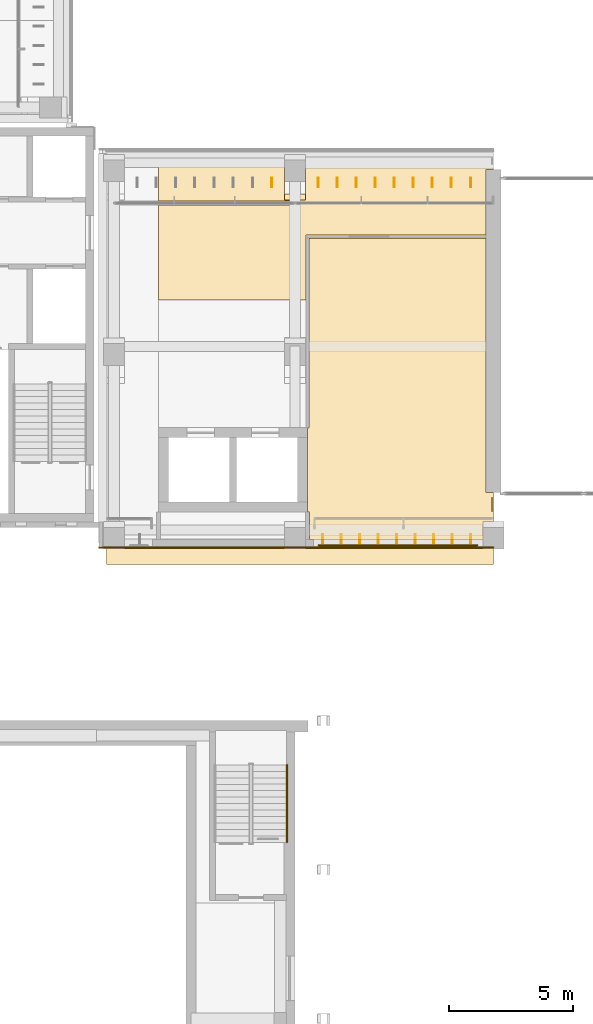
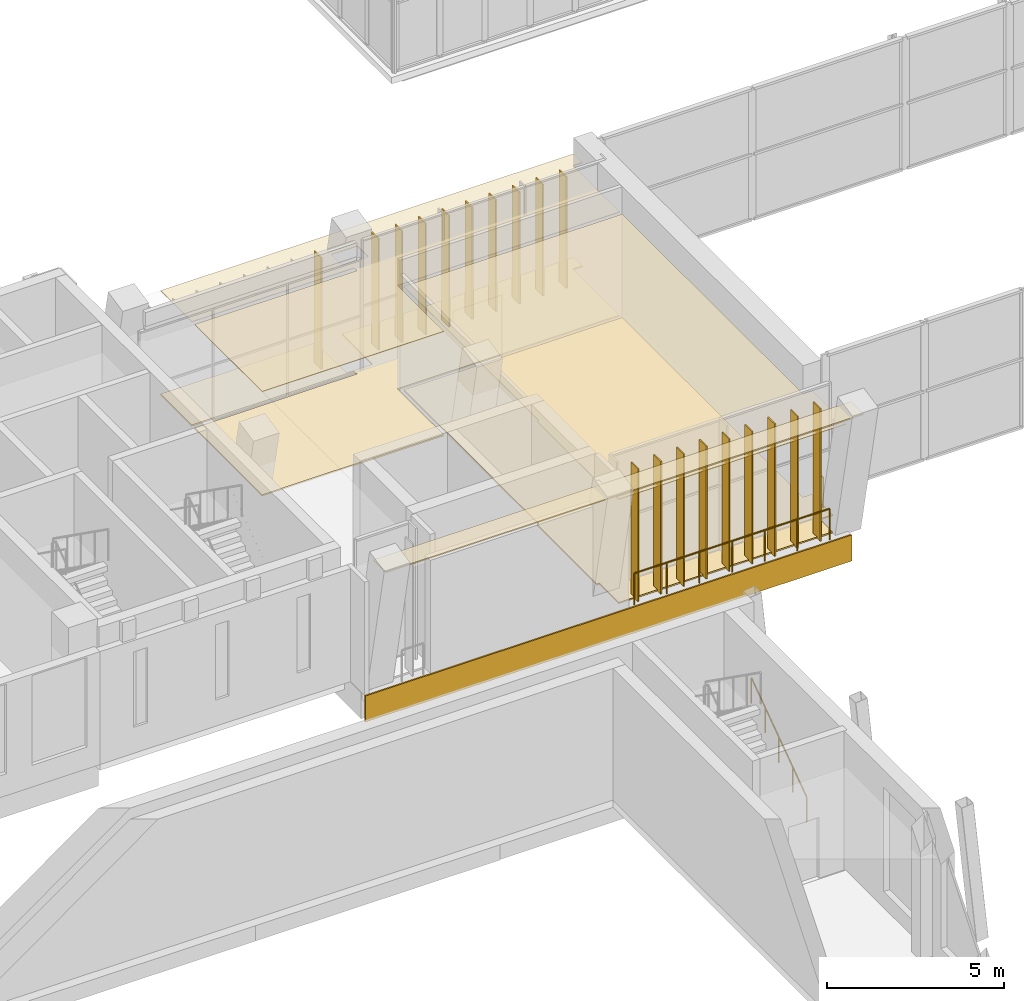
# One storey, part 75 of 92: 19 shading devices, 6 coverings, 3 railings.
"""IFC4 building model written with IfcOpenShell, lengths in metres."""

from ifc_helpers import new_model, si_unit, direction, frame, frame_2d, origin, origin_2d, place, context, subcontext, project, spatial, polyline, rectangle, circle, outline, extrude, material, layer, layer_set, type_object, element, save


model = new_model("IFC4")

# Units and contexts
model_context = context("Model", 3, precision=1e-05, world=origin(), true_north=direction((0.0, 1.0)))
body_context = subcontext(model_context, "Body", "Model", "MODEL_VIEW")
ifc_project = project(units=[si_unit("LENGTHUNIT", "METRE"), si_unit("AREAUNIT", "SQUARE_METRE"), si_unit("VOLUMEUNIT", "CUBIC_METRE"), si_unit("PLANEANGLEUNIT", "RADIAN"), si_unit("MASSUNIT", "GRAM", prefix="KILO")], contexts=[model_context])

# Site, building, storey
site_placement = place(None, origin())
site = spatial("IfcSite", under=ifc_project, at=site_placement, CompositionType="ELEMENT")
building_placement = place(site_placement, origin())
building = spatial("IfcBuilding", under=site, at=building_placement, Name="Lantern Court Media Centre", CompositionType="ELEMENT")
storey_placement = place(building_placement, frame((0.0, 0.0, 4.800048828125)))
storey = spatial("IfcBuildingStorey", under=building, at=storey_placement, Name="L01", CompositionType="ELEMENT", Elevation=4.800048828125)

# Covering
ifc_material_1 = material(Name="Carpet")
ifc_layer_1 = layer(ifc_material_1, 0.050048828125)
ifc_layer_set_1 = layer_set([ifc_layer_1], Name="Carpet")
covering_type_1 = type_object("IfcCoveringType", Name="Carpet floor finish", PredefinedType="FLOORING", material=ifc_layer_set_1)
covering_1_placement = place(storey_placement, origin())
element("IfcCovering", 1, at=covering_1_placement, inside=storey, type_object=covering_type_1, Name="Exhibition Gallery floor finish", PredefinedType="FLOORING", context=body_context, shape_type="SweptSolid", body=[
    extrude(outline(polyline([(40.0, 48.030029296875), (39.570556640625, 48.02734375), (39.570068359375, 47.300048828125), (32.5849609375, 47.304931640625), (32.5849609375, 48.400390625), (32.5048828125, 48.405029296875), (32.5048828125, 51.794921875), (32.5673828125, 51.800048828125), (32.5673828125, 59.4326171875), (39.695068359375, 59.4326171875), (39.695068359375, 49.199951171875), (40.0, 49.195068359375), (40.0, 48.030029296875)])), origin(), (0.0, 0.0, 1.0), 0.050048828125),
])

# Railings
ifc_material_2 = material(Name="Powder-coated steel", Category="steel")
railing_type_1 = type_object("IfcRailingType", Name="Floor edge guard 1100", PredefinedType="GUARDRAIL", material=ifc_material_2)
railing_1_placement = place(storey_placement, frame((39.341064453125, 47.06005859375, 0.0)))
element("IfcRailing", 2, at=railing_1_placement, inside=storey, type_object=railing_type_1, Name="L01 edge guard 15", PredefinedType="GUARDRAIL", context=body_context, shape_type="SweptSolid", body=[
    extrude(circle(Radius=0.02392578125, at=origin_2d()), frame((0.0, 0.0, 1.076171875), z_axis=(-1.0, 0.0, 0.0), x_axis=(0.0, -1.0, 0.0)), (0.0, 0.0, 1.0), 6.39208984375),
    extrude(circle(Radius=0.02099609375, at=origin_2d()), origin(), (0.0, 0.0, 1.0), 1.052001953125),
    extrude(circle(Radius=0.02099609375, at=origin_2d()), frame((-1.0654296875, 0.0, 0.0)), (0.0, 0.0, 1.0), 1.052001953125),
    extrude(circle(Radius=0.02099609375, at=origin_2d()), frame((-2.130615234375, 0.0, 0.0)), (0.0, 0.0, 1.0), 1.052001953125),
    extrude(circle(Radius=0.02099609375, at=origin_2d()), frame((-3.196044921875, 0.0, 0.0)), (0.0, 0.0, 1.0), 1.052001953125),
    extrude(circle(Radius=0.02099609375, at=origin_2d()), frame((-4.261474609375, 0.0, 0.0)), (0.0, 0.0, 1.0), 1.052001953125),
    extrude(circle(Radius=0.02099609375, at=origin_2d()), frame((-5.32666015625, 0.0, 0.0)), (0.0, 0.0, 1.0), 1.052001953125),
    extrude(circle(Radius=0.02099609375, at=origin_2d()), frame((-6.39208984375, 0.0, 0.0)), (0.0, 0.0, 1.0), 1.052001953125),
])
railing_2_placement = place(storey_placement, frame((39.93994140625, 48.9580078125, 0.0)))
element("IfcRailing", 3, at=railing_2_placement, inside=storey, type_object=railing_type_1, Name="L01 edge guard 17", PredefinedType="GUARDRAIL", context=body_context, shape_type="SweptSolid", body=[
    extrude(circle(Radius=0.02392578125, at=origin_2d()), frame((0.0, 0.0, 1.076171875), z_axis=(0.0, -1.0, 0.0), x_axis=(1.0, 0.0, 0.0)), (0.0, 0.0, 1.0), 0.5),
    extrude(circle(Radius=0.02099609375, at=origin_2d()), origin(), (0.0, 0.0, 1.0), 1.052001953125),
    extrude(circle(Radius=0.02099609375, at=origin_2d()), frame((0.0, -0.5, 0.0)), (0.0, 0.0, 1.0), 1.052001953125),
])

# Coverings
ifc_material_3 = material(Name="White glass-fibre reinforced cement cladding", Category="concrete")
ifc_layer_2 = layer(ifc_material_3, 0.050048828125)
ifc_layer_set_2 = layer_set([ifc_layer_2], Name="White glass-fibre reinforced cement cladding")
covering_type_2 = type_object("IfcCoveringType", Name="Floor-edge band 50", PredefinedType="CLADDING", material=ifc_layer_set_2)
covering_2_placement = place(storey_placement, frame((24.10009765625, 46.97509765625, -0.900146484375), z_axis=(0.0, 0.0, 1.0), x_axis=(1.0, 0.0, 0.0)))
element("IfcCovering", 4, at=covering_2_placement, inside=storey, type_object=covering_type_2, Name="Floor-edge band S outer L01", PredefinedType="CLADDING", context=body_context, shape_type="SweptSolid", body=[
    extrude(rectangle(XDim=15.89990234375, YDim=0.050048828125, at=frame_2d((7.949951171875, 0.0))), origin(), (0.0, 0.0, 1.0), 0.900146484375),
])
ifc_material_4 = material(Name="White fibre cement soffit board")
ifc_layer_3 = layer(ifc_material_4, 0.0400390625)
ifc_layer_set_3 = layer_set([ifc_layer_3], Name="White fibre cement soffit board")
covering_type_3 = type_object("IfcCoveringType", Name="Soffit lining 40", PredefinedType="CLADDING", material=ifc_layer_set_3)
covering_3_placement = place(storey_placement, frame((24.39990234375, 46.64990234375, 4.5400390625), z_axis=(0.0, 0.0, 1.0), x_axis=(1.0, 0.0, 0.0)))
element("IfcCovering", 5, at=covering_3_placement, inside=storey, type_object=covering_type_3, Name="Soffit lining S L01", PredefinedType="CLADDING", context=body_context, shape_type="SweptSolid", body=[
    extrude(rectangle(XDim=15.60009765625, YDim=0.699951171875, at=frame_2d((7.800048828125, 0.0))), origin(), (0.0, 0.0, 1.0), 0.039794921875),
])

# Railing
railing_type_2 = type_object("IfcRailingType", Name="Stair handrail 900", PredefinedType="HANDRAIL", material=ifc_material_2)
railing_3_placement = place(storey_placement, frame((31.674072265625, 35.10009765625, 0.1845703125)))
element("IfcRailing", 6, at=railing_3_placement, inside=storey, type_object=railing_type_2, Name="L01 ST-V1-ST-E stair handrail 1", PredefinedType="HANDRAIL", context=body_context, shape_type="SweptSolid", body=[
    extrude(circle(Radius=0.02392578125, at=origin_2d()), frame((0.0, 0.0, 0.8759765625), z_axis=(0.0, 0.815355575968, 0.57896052088), x_axis=(-1.0, 0.0, 0.0)), (0.0, 0.0, 1.0), 3.826416015625),
    extrude(circle(Radius=0.02099609375, at=origin_2d()), origin(), (0.0, 0.0, 1.0), 0.851806640625),
    extrude(circle(Radius=0.02099609375, at=origin_2d()), frame((0.0, 0.780029296875, 0.5537109375)), (0.0, 0.0, 1.0), 0.851806640625),
    extrude(circle(Radius=0.02099609375, at=origin_2d()), frame((0.0, 1.56005859375, 1.107666015625)), (0.0, 0.0, 1.0), 0.851806640625),
    extrude(circle(Radius=0.02099609375, at=origin_2d()), frame((0.0, 2.33984375, 1.66162109375)), (0.0, 0.0, 1.0), 0.851806640625),
    extrude(circle(Radius=0.02099609375, at=origin_2d()), frame((0.0, 3.119873046875, 2.21533203125)), (0.0, 0.0, 1.0), 0.851806640625),
])

# Coverings
ifc_material_5 = material(Name="Mineral fibre ceiling tile")
ifc_layer_4 = layer(ifc_material_5, 0.02001953125)
ifc_layer_set_4 = layer_set([ifc_layer_4], Name="Mineral fibre ceiling tile")
covering_type_4 = type_object("IfcCoveringType", Name="Suspended ceiling tile", PredefinedType="CEILING", material=ifc_layer_set_4)
covering_4_placement = place(storey_placement, frame((0.0, 0.0, 3.599853515625)))
element("IfcCovering", 7, at=covering_4_placement, inside=storey, type_object=covering_type_4, Name="Exhibition Gallery ceiling", PredefinedType="CEILING", context=body_context, shape_type="SweptSolid", body=[
    extrude(outline(polyline([(40.0, 47.300048828125), (32.58056640625, 47.300537109375), (32.58056640625, 48.400146484375), (32.50048828125, 48.400390625), (32.50048828125, 51.799560546875), (32.56298828125, 51.800048828125), (32.56298828125, 59.43701171875), (39.699462890625, 59.43701171875), (39.699462890625, 49.199951171875), (40.0, 49.199462890625), (40.0, 47.300048828125)])), origin(), (0.0, 0.0, 1.0), 0.02001953125),
])
covering_5_placement = place(storey_placement, frame((0.0, 0.0, 3.599853515625)))
element("IfcCovering", 8, at=covering_5_placement, inside=storey, type_object=covering_type_4, Name="Corridor ceiling", PredefinedType="CEILING", context=body_context, shape_type="SweptSolid", body=[
    extrude(outline(polyline([(26.5, 62.699951171875), (40.0, 62.699951171875), (40.0, 62.200439453125), (39.699462890625, 62.199951171875), (39.699462890625, 59.56298828125), (32.4375, 59.56298828125), (32.43701171875, 56.949951171875), (26.5, 56.949951171875), (26.5, 60.7744140625), (31.800537109375, 60.77490234375), (31.800048828125, 60.925537109375), (26.5, 60.925537109375), (26.5, 62.699951171875)]), holes=[polyline([(32.425048828125, 61.222412109375), (32.42529296875, 61.825439453125), (31.574462890625, 61.8251953125), (31.57470703125, 61.222412109375), (32.425048828125, 61.222412109375)]), polyline([(32.425048828125, 61.974609375), (32.425048828125, 62.073486328125), (31.574462890625, 62.072998046875), (31.574951171875, 61.974609375), (32.425048828125, 61.974609375)])]), origin(), (0.0, 0.0, 1.0), 0.02001953125),
])
ifc_material_6 = material(Name="Terrazzo")
ifc_layer_5 = layer(ifc_material_6, 0.050048828125)
ifc_layer_set_5 = layer_set([ifc_layer_5], Name="Terrazzo")
covering_type_5 = type_object("IfcCoveringType", Name="Terrazzo floor finish", PredefinedType="FLOORING", material=ifc_layer_set_5)
covering_6_placement = place(storey_placement, origin())
element("IfcCovering", 9, at=covering_6_placement, inside=storey, type_object=covering_type_5, Name="Corridor floor finish", PredefinedType="FLOORING", context=body_context, shape_type="SweptSolid", body=[
    extrude(outline(polyline([(40.0, 62.699951171875), (40.0, 62.205078125), (39.695068359375, 62.200439453125), (39.695068359375, 59.5673828125), (32.4365234375, 59.5673828125), (32.4326171875, 56.949951171875), (26.5, 56.949951171875), (26.5, 60.77001953125), (31.804931640625, 60.77490234375), (31.800048828125, 60.929931640625), (26.5, 60.929931640625), (26.5, 62.699951171875), (31.570068359375, 62.699951171875), (31.574951171875, 60.969970703125), (32.429443359375, 60.97265625), (32.429931640625, 62.699951171875), (40.0, 62.699951171875)])), origin(), (0.0, 0.0, 1.0), 0.050048828125),
])

# Shading devices
ifc_material_7 = material(Name="Bronze anodised aluminium louvre", Category="aluminium")
ifc_layer_6 = layer(ifc_material_7, 0.0400390625)
ifc_layer_set_6 = layer_set([ifc_layer_6], Name="Bronze anodised aluminium louvre")
shading_device_type_1 = type_object("IfcShadingDeviceType", Name="Vertical louvre 40x400 full storey", PredefinedType="USERDEFINED", material=ifc_layer_set_6)
for number, where, z_axis, x_axis, name in (
    (10, (33.122314453125, 47.320068359375, 0.0), (0.0, 0.0, 1.0), (1.0, 0.0, 0.0), "Vertical louvre S outer L01"),
    (11, (33.86669921875, 47.320068359375, 0.0), (0.0, 0.0, 1.0), (1.0, 0.0, 0.0), "Vertical louvre S outer L01"),
    (12, (34.611083984375, 47.320068359375, 0.0), (0.0, 0.0, 1.0), (1.0, 0.0, 0.0), "Vertical louvre S outer L01"),
    (13, (35.35546875, 47.320068359375, 0.0), (0.0, 0.0, 1.0), (1.0, 0.0, 0.0), "Vertical louvre S outer L01"),
    (14, (36.10009765625, 47.320068359375, 0.0), (0.0, 0.0, 1.0), (1.0, 0.0, 0.0), "Vertical louvre S outer L01"),
    (15, (36.844482421875, 47.320068359375, 0.0), (0.0, 0.0, 1.0), (1.0, 0.0, 0.0), "Vertical louvre S outer L01"),
    (16, (37.5888671875, 47.320068359375, 0.0), (0.0, 0.0, 1.0), (1.0, 0.0, 0.0), "Vertical louvre S outer L01"),
    (17, (38.333251953125, 47.320068359375, 0.0), (0.0, 0.0, 1.0), (1.0, 0.0, 0.0), "Vertical louvre S outer L01"),
    (18, (39.077880859375, 47.320068359375, 0.0), (0.0, 0.0, 1.0), (1.0, 0.0, 0.0), "Vertical louvre S outer L01"),
):
    element("IfcShadingDevice", number, at=place(storey_placement, frame(where, z_axis=z_axis, x_axis=x_axis)), inside=storey, type_object=shading_device_type_1, Name=name, ObjectType="VERTICAL LOUVRE", PredefinedType="USERDEFINED", context=body_context, shape_type="SweptSolid", body=[
        extrude(rectangle(XDim=0.0400390625, YDim=0.39990234375, at=origin_2d()), origin(), (0.0, 0.0, 1.0), 4.580078125),
    ])
ifc_layer_7 = layer(ifc_material_7, 0.0400390625)
ifc_layer_set_7 = layer_set([ifc_layer_7], Name="Bronze anodised aluminium louvre")
shading_device_type_2 = type_object("IfcShadingDeviceType", Name="Vertical louvre 40x400 under beam", PredefinedType="USERDEFINED", material=ifc_layer_set_7)
for number, where, z_axis, x_axis, name in (
    (19, (31.0625, 61.679931640625, 0.0), (0.0, 0.0, 1.0), (1.0, 0.0, 0.0), "Vertical louvre S inner L01"),
    (20, (32.933349609375, 61.679931640625, 0.0), (0.0, 0.0, 1.0), (1.0, 0.0, 0.0), "Vertical louvre S inner L01"),
    (21, (33.699951171875, 61.679931640625, 0.0), (0.0, 0.0, 1.0), (1.0, 0.0, 0.0), "Vertical louvre S inner L01"),
    (22, (34.466552734375, 61.679931640625, 0.0), (0.0, 0.0, 1.0), (1.0, 0.0, 0.0), "Vertical louvre S inner L01"),
    (23, (35.2333984375, 61.679931640625, 0.0), (0.0, 0.0, 1.0), (1.0, 0.0, 0.0), "Vertical louvre S inner L01"),
    (24, (36.0, 61.679931640625, 0.0), (0.0, 0.0, 1.0), (1.0, 0.0, 0.0), "Vertical louvre S inner L01"),
    (25, (36.7666015625, 61.679931640625, 0.0), (0.0, 0.0, 1.0), (1.0, 0.0, 0.0), "Vertical louvre S inner L01"),
    (26, (37.533447265625, 61.679931640625, 0.0), (0.0, 0.0, 1.0), (1.0, 0.0, 0.0), "Vertical louvre S inner L01"),
    (27, (38.300048828125, 61.679931640625, 0.0), (0.0, 0.0, 1.0), (1.0, 0.0, 0.0), "Vertical louvre S inner L01"),
    (28, (39.066650390625, 61.679931640625, 0.0), (0.0, 0.0, 1.0), (1.0, 0.0, 0.0), "Vertical louvre S inner L01"),
):
    element("IfcShadingDevice", number, at=place(storey_placement, frame(where, z_axis=z_axis, x_axis=x_axis)), inside=storey, type_object=shading_device_type_2, Name=name, ObjectType="VERTICAL LOUVRE", PredefinedType="USERDEFINED", context=body_context, shape_type="SweptSolid", body=[
        extrude(rectangle(XDim=0.0400390625, YDim=0.39990234375, at=origin_2d()), origin(), (0.0, 0.0, 1.0), 3.89990234375),
    ])

save(model, "model.ifc")
